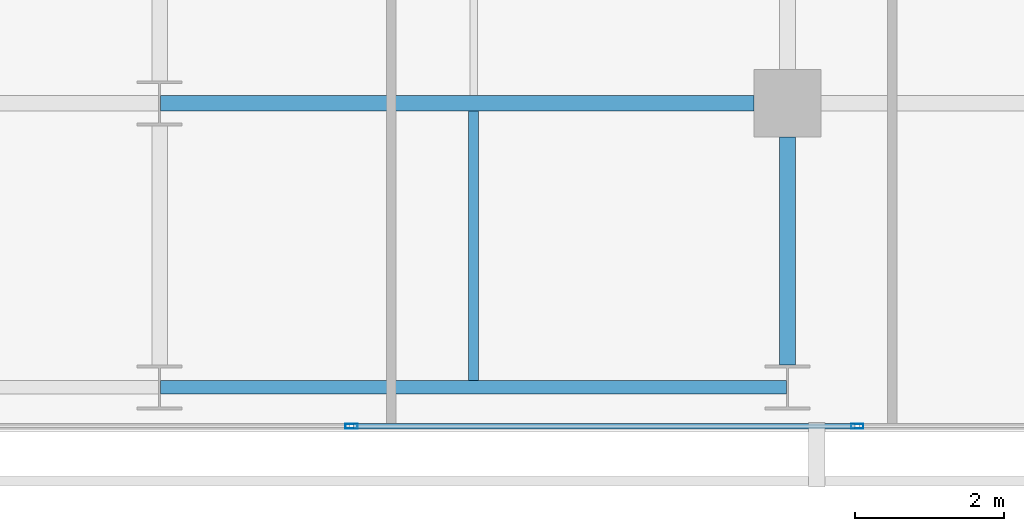
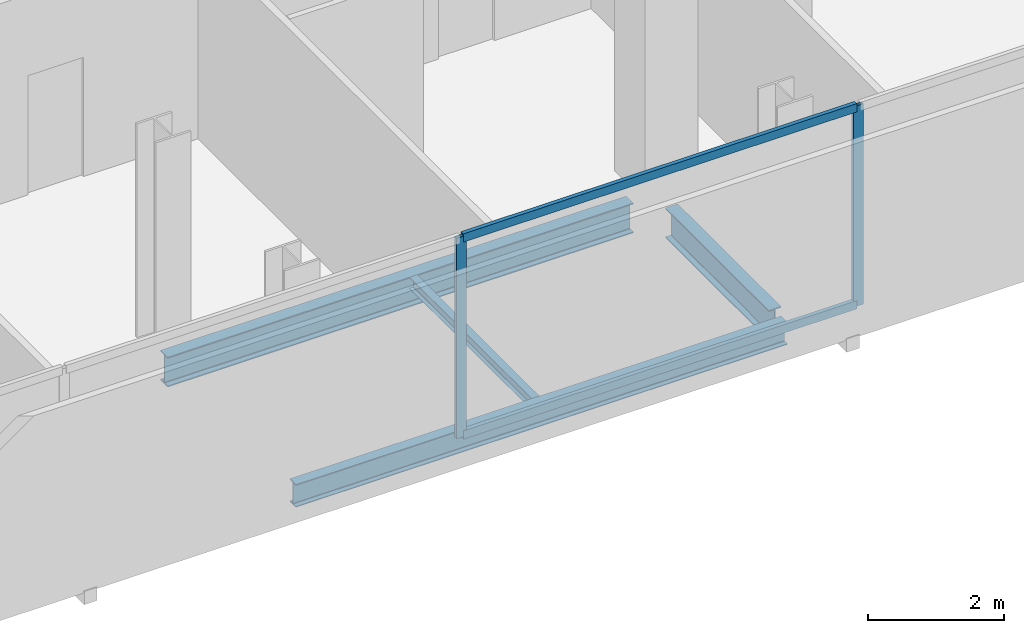
# One storey, part 12 of 33: 4 beams, 4 members, 1 element without a shape of its own.
"""IFC4 building model written with IfcOpenShell, lengths in metres."""

import ifcopenshell
import ifcopenshell.guid

model = None  # the IFC model being written
_history = None  # IfcOwnerHistory: only IFC2X3 demands one
_inside = {}  # id of a spatial element -> (the spatial element, [elements in it])
_under = {}  # id of a project, library or spatial element -> (it, [spatial elements below it])
_declared = {}  # id of a project -> (the project, [libraries it declares])
_typed = {}  # id of a type object -> (the type object, [elements of that type])
_made_of = {}  # id of a material, layer set ... -> (it, [elements and type objects made of it])


def new_model(schema):
    """Start an empty IFC model of exactly this schema.

    Asked for "IFC4X3", IfcOpenShell would pick the latest addendum, in which some entities
    have other attributes; the version numbers below select the first issue.
    IFC2X3 requires an IfcOwnerHistory on every rooted entity: one is made here for all.
    """
    global model, _history
    if schema == "IFC4X3":
        model = ifcopenshell.file(schema_version=(4, 3, 0, 0))
    else:
        model = ifcopenshell.file(schema=schema)
    _inside.clear()
    _under.clear()
    _declared.clear()
    _typed.clear()
    _made_of.clear()
    _history = None
    if model.schema == "IFC2X3":
        org = make("IfcOrganization", Name="unknown")
        user = make(
            "IfcPersonAndOrganization",
            ThePerson=make("IfcPerson", FamilyName="unknown"),
            TheOrganization=org,
        )
        app = make(
            "IfcApplication",
            ApplicationDeveloper=org,
            Version="unknown",
            ApplicationFullName="unknown",
            ApplicationIdentifier="unknown",
        )
        _history = make(
            "IfcOwnerHistory",
            OwningUser=user,
            OwningApplication=app,
            ChangeAction="ADDED",
            CreationDate=0,
        )
    return model


def make(cls, **values):
    """One entity of the class cls with the attributes given. An attribute that is None is left unset."""
    return model.create_entity(
        cls, **{name: value for name, value in values.items() if value is not None}
    )


def rooted(cls, **values):
    """An entity with a GlobalId (a new one), such as an element, a storey or a relation."""
    return make(cls, GlobalId=ifcopenshell.guid.new(), OwnerHistory=_history, **values)


def si_unit(unit_type, name, prefix=None):
    """IfcSIUnit, for example si_unit("LENGTHUNIT", "METRE", prefix="MILLI")."""
    return make("IfcSIUnit", UnitType=unit_type, Prefix=prefix, Name=name)


def assignment(units):
    """IfcUnitAssignment: the units of a project."""
    return None if units is None else make("IfcUnitAssignment", Units=units)


def point(xyz):
    """IfcCartesianPoint."""
    return None if xyz is None else make("IfcCartesianPoint", Coordinates=xyz)


def direction(xyz):
    """IfcDirection."""
    return None if xyz is None else make("IfcDirection", DirectionRatios=xyz)


def frame(location, z_axis=None, x_axis=None):
    """IfcAxis2Placement3D, a coordinate frame: its origin and axes. An axis left out is left unset."""
    return make(
        "IfcAxis2Placement3D",
        Location=point(location),
        Axis=direction(z_axis),
        RefDirection=direction(x_axis),
    )


def frame_2d(location, x_axis=None):
    """IfcAxis2Placement2D, a coordinate frame in the plane: its origin and x axis."""
    return make(
        "IfcAxis2Placement2D", Location=point(location), RefDirection=direction(x_axis)
    )


def origin():
    """The frame at (0, 0, 0) with its axes left unset."""
    return frame((0.0, 0.0, 0.0))


def origin_2d():
    """The frame at (0, 0) in the plane with its x axis left unset."""
    return frame_2d((0.0, 0.0))


def place(relative_to, where):
    """IfcLocalPlacement: puts the frame where relative to a parent placement (None: the world)."""
    return make(
        "IfcLocalPlacement", PlacementRelTo=relative_to, RelativePlacement=where
    )


def context(
    kind, dimensions, precision=None, world=None, true_north=None, identifier=None
):
    """IfcGeometricRepresentationContext, for example the 3D "Model" context."""
    return make(
        "IfcGeometricRepresentationContext",
        ContextIdentifier=identifier,
        ContextType=kind,
        CoordinateSpaceDimension=dimensions,
        Precision=precision,
        WorldCoordinateSystem=world,
        TrueNorth=true_north,
    )


def subcontext(parent, identifier, kind, view, scale=None):
    """IfcGeometricRepresentationSubContext, for example "Body" below "Model"."""
    return make(
        "IfcGeometricRepresentationSubContext",
        ContextIdentifier=identifier,
        ContextType=kind,
        ParentContext=parent,
        TargetScale=scale,
        TargetView=view,
    )


def project(units=None, contexts=None):
    """IfcProject with its units and contexts."""
    return rooted(
        "IfcProject",
        Name="project",
        RepresentationContexts=contexts,
        UnitsInContext=assignment(units),
    )


def spatial(cls, under=None, at=None, **own):
    """A site, building, storey or space (cls), placed at a placement, below another one or the project."""
    s = rooted(cls, ObjectPlacement=at, **own)
    if under is not None:
        _under.setdefault(under.id(), (under, []))[1].append(s)
    return s


def profile(cls, at=None, kind="AREA", **sizes):
    """A parametric profile (cls). Its sizes go by their IFC names, for example OverallWidth=200.0."""
    return make(cls, ProfileType=kind, Position=at, **sizes)


def hollow_rectangle(**sizes):
    """IfcRectangleHollowProfileDef."""
    return profile("IfcRectangleHollowProfileDef", **sizes)


def i_section(**sizes):
    """IfcIShapeProfileDef."""
    return profile("IfcIShapeProfileDef", **sizes)


def extrude(swept, where, along, depth):
    """IfcExtrudedAreaSolid: the profile swept, set in the frame where, extruded along a direction by depth."""
    return make(
        "IfcExtrudedAreaSolid",
        SweptArea=swept,
        Position=where,
        ExtrudedDirection=direction(along),
        Depth=depth,
    )


def shape(context_of_items, identifier, shape_type, items):
    """IfcShapeRepresentation: the items that make up one representation, for example the "Body"."""
    return make(
        "IfcShapeRepresentation",
        ContextOfItems=context_of_items,
        RepresentationIdentifier=identifier,
        RepresentationType=shape_type,
        Items=items,
    )


def material(Name=None, Category=None):
    """IfcMaterial."""
    return make("IfcMaterial", Name=Name, Category=Category)


def layer(
    of_material, thickness, ventilated=None, Name=None, Category=None, Priority=None
):
    """IfcMaterialLayer: one layer of a wall or slab, of a material (None: an air gap)."""
    return make(
        "IfcMaterialLayer",
        Material=of_material,
        LayerThickness=thickness,
        IsVentilated=ventilated,
        Name=Name,
        Category=Category,
        Priority=Priority,
    )


def layer_set(layers, Name=None):
    """IfcMaterialLayerSet."""
    return make("IfcMaterialLayerSet", MaterialLayers=layers, LayerSetName=Name)


def material_profile(
    of_material, cross_section, Name=None, Category=None, Priority=None
):
    """IfcMaterialProfile: a cross section and its material."""
    return make(
        "IfcMaterialProfile",
        Name=Name,
        Material=of_material,
        Profile=cross_section,
        Priority=Priority,
        Category=Category,
    )


def profile_set(profiles, Name=None, composite=None):
    """IfcMaterialProfileSet."""
    return make(
        "IfcMaterialProfileSet",
        Name=Name,
        MaterialProfiles=profiles,
        CompositeProfile=composite,
    )


def made_of(thing, what):
    """Note that an element or type object is made of a material, layer set ...; save() writes the relation."""
    if what is not None:
        _made_of.setdefault(what.id(), (what, []))[1].append(thing)
    return thing


def type_object(cls, material=None, **own):
    """A type object (cls), such as IfcWallType, which elements share."""
    return made_of(rooted(cls, **own), material)


def element(
    cls,
    number,
    at=None,
    inside=None,
    cuts=None,
    type_object=None,
    material=None,
    context=None,
    identifier="Body",
    shape_type=None,
    held_by="IfcProductDefinitionShape",
    body=None,
    shapes=None,
    **own,
):
    """One element of the class cls, such as IfcWall. Its Tag is "e" and its number.

    at: its placement. inside: the storey or other place that contains it. cuts: it is an
    opening in that element (IfcRelVoidsElement). A single representation is given by context,
    identifier, shape_type and body (its items); several are given by shapes. held_by: the class
    of the entity that holds the representations. save() writes the other relations.
    """
    e = rooted(cls, Tag="e%d" % number, ObjectPlacement=at, **own)
    if body is not None:
        shapes = [shape(context, identifier, shape_type, body)]
    if shapes is not None:
        e.Representation = make(held_by, Representations=shapes)
    if inside is not None:
        _inside.setdefault(inside.id(), (inside, []))[1].append(e)
    if cuts is not None:
        rooted(
            "IfcRelVoidsElement", RelatingBuildingElement=cuts, RelatedOpeningElement=e
        )
    if type_object is not None:
        _typed.setdefault(type_object.id(), (type_object, []))[1].append(e)
    return made_of(e, material)


def aggregate(whole, parts):
    """IfcRelAggregates: a whole, such as a stair, and the parts it consists of."""
    return rooted("IfcRelAggregates", RelatingObject=whole, RelatedObjects=parts)


def save(model, path):
    """Write the relations noted so far, then the file.

    IfcRelAggregates (storeys below a building ...), IfcRelContainedInSpatialStructure (elements
    in a storey), IfcRelDefinesByType, IfcRelAssociatesMaterial and IfcRelDeclares: one each for
    every whole, place, type object, material and project.
    """
    for whole, parts in _under.values():
        aggregate(whole, parts)
    for where, things in _inside.values():
        rooted(
            "IfcRelContainedInSpatialStructure",
            RelatedElements=things,
            RelatingStructure=where,
        )
    for kind, things in _typed.values():
        rooted("IfcRelDefinesByType", RelatedObjects=things, RelatingType=kind)
    for what, things in _made_of.values():
        rooted("IfcRelAssociatesMaterial", RelatedObjects=things, RelatingMaterial=what)
    for by, libraries in _declared.values():
        rooted("IfcRelDeclares", RelatingContext=by, RelatedDefinitions=libraries)
    model.write(path)


model = new_model("IFC4")

# Units and contexts
model_context = context("Model", 3, precision=1e-05, world=origin(), true_north=direction((0.0, 1.0)))
body_context = subcontext(model_context, "Body", "Model", "MODEL_VIEW")
ifc_project = project(units=[si_unit("LENGTHUNIT", "METRE"), si_unit("AREAUNIT", "SQUARE_METRE"), si_unit("VOLUMEUNIT", "CUBIC_METRE"), si_unit("PLANEANGLEUNIT", "RADIAN"), si_unit("MASSUNIT", "GRAM", prefix="KILO")], contexts=[model_context])

# Site, building, storey
site_placement = place(None, origin())
site = spatial("IfcSite", under=ifc_project, at=site_placement, CompositionType="ELEMENT")
building_placement = place(site_placement, origin())
building = spatial("IfcBuilding", under=site, at=building_placement, Name="Maruvema Waterfront Hotel and Observation Tower", CompositionType="ELEMENT")
storey_placement = place(building_placement, frame((0.0, 0.0, 200.550048828125)))
storey = spatial("IfcBuildingStorey", under=building, at=storey_placement, Name="L49", CompositionType="ELEMENT", Elevation=200.550048828125)

# Curtain wall, members
ifc_material_1 = material(Name="Anodised bronze aluminium and solar-control low-E IGU", Category="aluminium")
ifc_layer = layer(ifc_material_1, 0.159912109375, Name="Zone 2 Amber Inner Thermal Curtain Wall System CW-03")
ifc_layer_set = layer_set([ifc_layer], Name="Anodised bronze aluminium and solar-control low-E IGU")
curtain_wall_type = type_object("IfcCurtainWallType", Name="Zone 2 Amber Inner Thermal Curtain Wall System CW-03", PredefinedType="USERDEFINED", material=ifc_layer_set)
curtain_wall_placement = place(storey_placement, origin())
curtain_wall = element("IfcCurtainWall", 1, at=curtain_wall_placement, inside=storey, type_object=curtain_wall_type, Name="L49 Curtain Wall CW-L49-S", ObjectType="UNITISED CURTAIN WALL", PredefinedType="USERDEFINED")
ifc_material_2 = material(Name="Anodised architectural bronze aluminium", Category="aluminium")
ifc_material_profile_1 = material_profile(ifc_material_2, hollow_rectangle(XDim=0.070068359375, YDim=0.14990234375, WallThickness=0.00390625, at=origin_2d()), Name="ALU-T70x150")
ifc_profile_set_1 = profile_set([ifc_material_profile_1], Name="Anodised architectural bronze aluminium")
member_type_1 = type_object("IfcMemberType", Name="Curtain Wall Horizontal Transom ALU-T70x150", PredefinedType="USERDEFINED", material=ifc_profile_set_1)
member_1_placement = place(storey_placement, frame((44.5966796875, 4.679931640625, 0.030029296875), z_axis=(1.0, 0.0, 0.0), x_axis=(0.0, 1.0, 0.0)))
member_1 = element("IfcMember", 2, at=member_1_placement, type_object=member_type_1, Name="CW-03 transom 5.1", ObjectType="TRANSOM", PredefinedType="USERDEFINED", context=body_context, shape_type="SweptSolid", body=[
    extrude(hollow_rectangle(XDim=0.070068359375, YDim=0.14990234375, WallThickness=0.00390625, at=origin_2d()), origin(), (0.0, 0.0, 1.0), 6.70654296875),
])
member_2_placement = place(storey_placement, frame((44.5966796875, 4.679931640625, 3.579833984375), z_axis=(1.0, 0.0, 0.0), x_axis=(0.0, 1.0, 0.0)))
member_2 = element("IfcMember", 3, at=member_2_placement, type_object=member_type_1, Name="CW-03 transom 5.2", ObjectType="TRANSOM", PredefinedType="USERDEFINED", context=body_context, shape_type="SweptSolid", body=[
    extrude(hollow_rectangle(XDim=0.070068359375, YDim=0.14990234375, WallThickness=0.00390625, at=origin_2d()), origin(), (0.0, 0.0, 1.0), 6.70654296875),
])
ifc_material_3 = material(Name="Anodised architectural bronze aluminium", Category="aluminium")
ifc_material_profile_2 = material_profile(ifc_material_3, hollow_rectangle(XDim=0.06494140625, YDim=0.1650390625, WallThickness=0.00390625, at=origin_2d()), Name="ALU-M65x165")
ifc_profile_set_2 = profile_set([ifc_material_profile_2], Name="Anodised architectural bronze aluminium")
member_type_2 = type_object("IfcMemberType", Name="Curtain Wall Primary Mullion ALU-M65x165", PredefinedType="MULLION", material=ifc_profile_set_2)
member_3_placement = place(storey_placement, frame((44.566650390625, 4.679931640625, 0.0), z_axis=(0.0, 0.0, 1.0), x_axis=(0.0, 1.0, 0.0)))
member_3 = element("IfcMember", 4, at=member_3_placement, type_object=member_type_2, Name="CW-03 mullion 5", PredefinedType="MULLION", context=body_context, shape_type="SweptSolid", body=[
    extrude(hollow_rectangle(XDim=0.06494140625, YDim=0.1650390625, WallThickness=0.00390625, at=origin_2d()), origin(), (0.0, 0.0, 1.0), 3.60986328125),
])
member_4_placement = place(storey_placement, frame((51.333251953125, 4.679931640625, 0.0), z_axis=(0.0, 0.0, 1.0), x_axis=(0.0, 1.0, 0.0)))
member_4 = element("IfcMember", 5, at=member_4_placement, type_object=member_type_2, Name="CW-03 mullion 6", PredefinedType="MULLION", context=body_context, shape_type="SweptSolid", body=[
    extrude(hollow_rectangle(XDim=0.06494140625, YDim=0.1650390625, WallThickness=0.00390625, at=origin_2d()), origin(), (0.0, 0.0, 1.0), 3.60986328125),
])
aggregate(curtain_wall, [member_3, member_4, member_1, member_2])

# Beams
ifc_material_4 = material(Name="Steel ASTM A572 Grade 50", Category="steel")
ifc_material_profile_3 = material_profile(ifc_material_4, i_section(OverallWidth=0.178955078125, OverallDepth=0.409912109375, WebThickness=0.0087890625, FlangeThickness=0.014404296875, FilletRadius=0.014892578125, at=origin_2d()), Name="W410x67.0")
ifc_profile_set_3 = profile_set([ifc_material_profile_3], Name="Steel ASTM A572 Grade 50")
beam_type_1 = type_object("IfcBeamType", Name="Perimeter Spandrel Beam W410x67.0", PredefinedType="SPANDREL", material=ifc_profile_set_3)
beam_1_placement = place(storey_placement, frame((42.012451171875, 5.199951171875, -0.445068359375), z_axis=(1.0, 0.0, 0.0), x_axis=(0.0, 1.0, 0.0)))
element("IfcBeam", 6, at=beam_1_placement, inside=storey, type_object=beam_type_1, Name="L49 Floor Girder EW-03", PredefinedType="SPANDREL", context=body_context, shape_type="SweptSolid", body=[
    extrude(i_section(OverallWidth=0.178955078125, OverallDepth=0.409912109375, WebThickness=0.0087890625, FlangeThickness=0.014404296875, FilletRadius=0.014892578125, at=origin_2d()), origin(), (0.0, 0.0, 1.0), 8.375),
])
ifc_material_5 = material(Name="Steel ASTM A572 Grade 50", Category="steel")
ifc_material_profile_4 = material_profile(ifc_material_5, i_section(OverallWidth=0.2109375, OverallDepth=0.5390625, WebThickness=0.01171875, FlangeThickness=0.018798828125, FilletRadius=0.014892578125, at=origin_2d()), Name="W530x109.0")
ifc_profile_set_4 = profile_set([ifc_material_profile_4], Name="Steel ASTM A572 Grade 50")
beam_type_2 = type_object("IfcBeamType", Name="Primary Floor Girder W530x109.0", PredefinedType="BEAM", material=ifc_profile_set_4)
beam_2_placement = place(storey_placement, frame((42.012451171875, 9.0, -0.509521484375), z_axis=(1.0, 0.0, 0.0), x_axis=(0.0, 1.0, 0.0)))
element("IfcBeam", 7, at=beam_2_placement, inside=storey, type_object=beam_type_2, Name="L49 Floor Girder EW-08", PredefinedType="BEAM", context=body_context, shape_type="SweptSolid", body=[
    extrude(i_section(OverallWidth=0.2109375, OverallDepth=0.5390625, WebThickness=0.01171875, FlangeThickness=0.018798828125, FilletRadius=0.014892578125, at=origin_2d()), origin(), (0.0, 0.0, 1.0), 7.9375),
])
beam_3_placement = place(storey_placement, frame((50.39990234375, 5.5, -0.509521484375), z_axis=(0.0, 1.0, 0.0), x_axis=(-1.0, 0.0, 0.0)))
element("IfcBeam", 8, at=beam_3_placement, inside=storey, type_object=beam_type_2, Name="L49 Floor Girder NS-20", PredefinedType="BEAM", context=body_context, shape_type="SweptSolid", body=[
    extrude(i_section(OverallWidth=0.2109375, OverallDepth=0.5390625, WebThickness=0.01171875, FlangeThickness=0.018798828125, FilletRadius=0.014892578125, at=origin_2d()), origin(), (0.0, 0.0, 1.0), 3.050048828125),
])
ifc_material_6 = material(Name="Steel ASTM A572 Grade 50", Category="steel")
ifc_material_profile_5 = material_profile(ifc_material_6, i_section(OverallWidth=0.133056640625, OverallDepth=0.20703125, WebThickness=0.005859375, FlangeThickness=0.00830078125, FilletRadius=0.010009765625, at=origin_2d()), Name="W200x26.6")
ifc_profile_set_5 = profile_set([ifc_material_profile_5], Name="Steel ASTM A572 Grade 50")
beam_type_3 = type_object("IfcBeamType", Name="Secondary Floor Joist W200x26.6", PredefinedType="JOIST", material=ifc_profile_set_5)
beam_4_placement = place(storey_placement, frame((46.199951171875, 5.28955078125, -0.343505859375), z_axis=(0.0, 1.0, 0.0), x_axis=(-1.0, 0.0, 0.0)))
element("IfcBeam", 9, at=beam_4_placement, inside=storey, type_object=beam_type_3, Name="L49 Secondary Floor Joist JS-09", PredefinedType="JOIST", context=body_context, shape_type="SweptSolid", body=[
    extrude(i_section(OverallWidth=0.133056640625, OverallDepth=0.20703125, WebThickness=0.005859375, FlangeThickness=0.00830078125, FilletRadius=0.010009765625, at=origin_2d()), origin(), (0.0, 0.0, 1.0), 3.60498046875),
])

save(model, "model.ifc")
